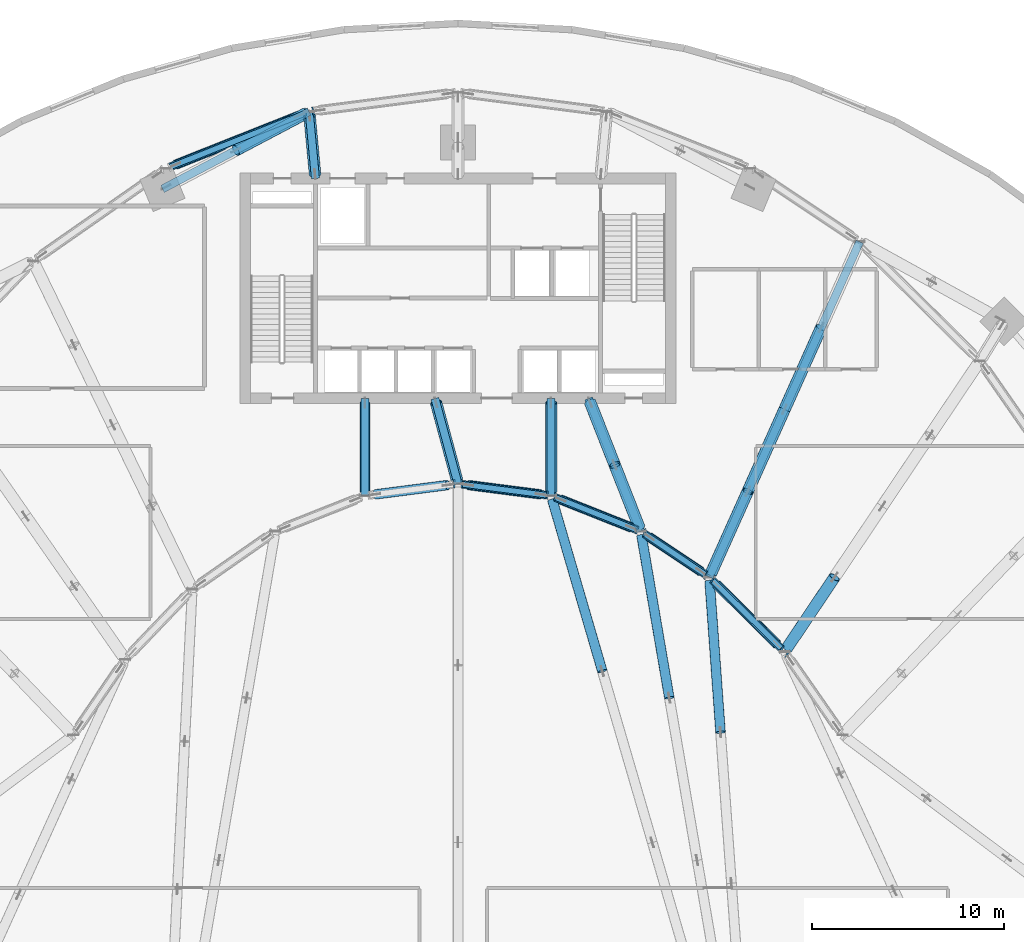
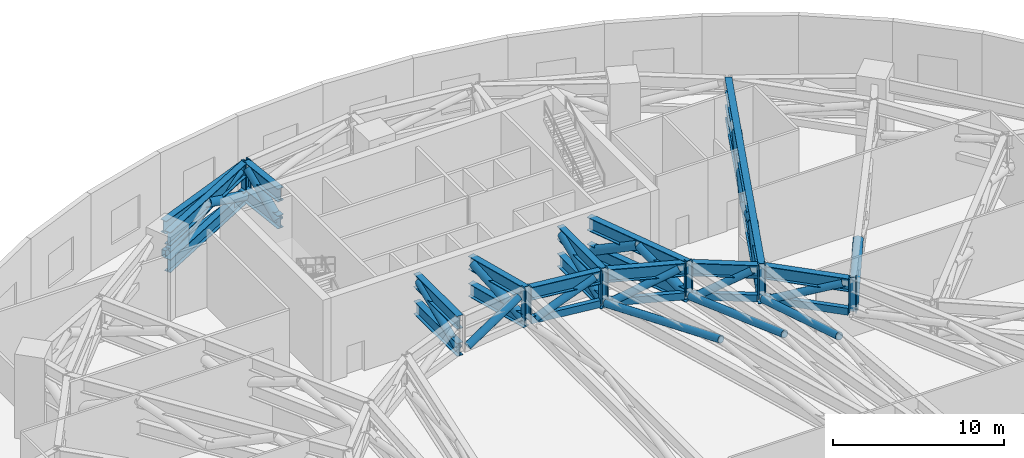
# One storey, part 4 of 19: 31 members, 19 beams.
"""IFC4 building model written with IfcOpenShell, lengths in metres."""

from ifc_helpers import new_model, si_unit, direction, frame, origin, origin_2d, place, context, subcontext, project, spatial, hollow_rectangle, hollow_circle, i_section, extrude, source, transform, mapped, material, material_profile, profile_set, type_object, type_shapes, element, save


model = new_model("IFC4")

# Units and contexts
model_context = context("Model", 3, precision=1e-05, world=origin(), true_north=direction((0.0, 1.0)))
body_context = subcontext(model_context, "Body", "Model", "MODEL_VIEW")
ifc_project = project(units=[si_unit("LENGTHUNIT", "METRE"), si_unit("AREAUNIT", "SQUARE_METRE"), si_unit("VOLUMEUNIT", "CUBIC_METRE"), si_unit("PLANEANGLEUNIT", "RADIAN"), si_unit("MASSUNIT", "GRAM", prefix="KILO")], contexts=[model_context])

# Site, building, storey
site_placement = place(None, origin())
site = spatial("IfcSite", under=ifc_project, at=site_placement, CompositionType="ELEMENT")
building_placement = place(site_placement, origin())
building = spatial("IfcBuilding", under=site, at=building_placement, Name="Breltana Convention Tower", CompositionType="ELEMENT")
storey_placement = place(building_placement, frame((0.0, 0.0, 24.0)))
storey = spatial("IfcBuildingStorey", under=building, at=storey_placement, Name="L04", CompositionType="ELEMENT", Elevation=24.0)

# Members
ifc_material_1 = material(Name="Steel ASTM A992 Grade 50", Category="steel")
ifc_material_profile_1 = material_profile(ifc_material_1, i_section(OverallWidth=0.4208984375, OverallDepth=0.465087890625, WebThickness=0.044921875, FlangeThickness=0.072265625, at=origin_2d()), Name="W14X398")
ifc_profile_set_1 = profile_set([ifc_material_profile_1], Name="Steel ASTM A992 Grade 50")
member_type_1 = type_object("IfcMemberType", Name="MB-TR-POST-W14X398", PredefinedType="POST", material=ifc_profile_set_1)
shared_shape_1 = source(origin(), body_context, "Body", "SweptSolid", [
    extrude(i_section(OverallWidth=0.4208984375, OverallDepth=0.465087890625, WebThickness=0.044921875, FlangeThickness=0.072265625, at=origin_2d()), origin(), (0.0, 0.0, 1.0), 2.406494140625),
])
type_shapes(member_type_1, [shared_shape_1])
for number, where, z_axis, x_axis, name in (
    (1, (40.253173828125, 75.404296875, 3.1435546875), (0.0, 0.0, 1.0), (-0.143492621991, 0.98965138682, 0.0), "L04 Transfer Truss Vertical R05-OUT"),
    (2, (48.0, 56.035888671875, 3.1435546875), (0.0, 0.0, 1.0), (0.0, 1.0, 0.0), "L04 Transfer Truss Vertical R06-IN"),
    (3, (52.846435546875, 55.41064453125, 3.1435546875), (0.0, 0.0, 1.0), (0.143492621991, 0.98965138682, 0.0), "L04 Transfer Truss Vertical R07-IN"),
    (4, (57.514892578125, 53.5576171875, 3.1435546875), (0.0, 0.0, 1.0), (0.288697611798, 0.957420330337, 0.0), "L04 Transfer Truss Vertical R08-IN"),
    (5, (61.08203125, 51.174560546875, 3.1435546875), (0.0, 0.0, 1.0), (0.409126902895, 0.912477494148, 0.0), "L04 Transfer Truss Vertical R09-IN"),
    (6, (64.995849609375, 47.293701171875, 3.1435546875), (0.0, 0.0, 1.0), (0.55774510898, 0.830012285095, 0.0), "L04 Transfer Truss Vertical R10-IN"),
):
    element("IfcMember", number, at=place(storey_placement, frame(where, z_axis=z_axis, x_axis=x_axis)), inside=storey, type_object=member_type_1, Name=name, PredefinedType="POST", context=body_context, shape_type="MappedRepresentation", body=[
        mapped(shared_shape_1, transform((0.0, 0.0, 0.0), scale=1.0)),
    ])
ifc_material_2 = material(Name="Steel EN 10210 S355J2H", Category="steel")
ifc_material_profile_2 = material_profile(ifc_material_2, hollow_circle(Radius=0.25390625, WallThickness=0.02001953125, at=origin_2d()), Name="CHS508X20")
ifc_profile_set_2 = profile_set([ifc_material_profile_2], Name="Steel EN 10210 S355J2H")
member_type_2 = type_object("IfcMemberType", Name="MB-BR-CHS508X20", PredefinedType="BRACE", material=ifc_profile_set_2)
shared_shape_2 = source(origin(), body_context, "Body", "SweptSolid", [
    extrude(hollow_circle(Radius=0.25390625, WallThickness=0.02001953125, at=origin_2d()), origin(), (0.0, 0.0, 1.0), 8.791015625),
])
member_1_placement = place(storey_placement, frame((59.000732421875, 44.887939453125, 5.075927734375), z_axis=(-0.164767429338, 0.96152750817, -0.219810248308), x_axis=(-0.985633495186, -0.168898233167, 0.0)))
element("IfcMember", 7, at=member_1_placement, inside=storey, type_object=member_type_2, Name="L04 Transfer Truss Diagonal R08-1.4", PredefinedType="BRACE", context=body_context, shape_type="MappedRepresentation", body=[
    mapped(shared_shape_2, transform((0.0, 0.0, 0.0), scale=1.0)),
])

# Beams
ifc_material_profile_3 = material_profile(ifc_material_1, i_section(OverallWidth=0.423095703125, OverallDepth=0.947998046875, WebThickness=0.02392578125, FlangeThickness=0.042724609375, at=origin_2d()), Name="W36X302")
ifc_profile_set_3 = profile_set([ifc_material_profile_3], Name="Steel ASTM A992 Grade 50")
beam_type_1 = type_object("IfcBeamType", Name="BM-TR-W36X302", PredefinedType="USERDEFINED", material=ifc_profile_set_3)
shared_shape_3 = source(origin(), body_context, "Body", "SweptSolid", [
    extrude(i_section(OverallWidth=0.423095703125, OverallDepth=0.947998046875, WebThickness=0.02392578125, FlangeThickness=0.042724609375, at=origin_2d()), origin(), (0.0, 0.0, 1.0), 5.064453125),
])
for number, where, z_axis, x_axis, name in (
    (8, (43.153564453125, 55.41064453125, 5.075927734375), (0.0, 1.0, 0.0), (-1.0, 0.0, 0.0), "L04 Transfer Top Chord R05-1"),
    (9, (52.846435546875, 55.41064453125, 5.075927734375), (0.0, 1.0, 0.0), (-1.0, 0.0, 0.0), "L04 Transfer Top Chord R07-2"),
):
    element("IfcBeam", number, at=place(storey_placement, frame(where, z_axis=z_axis, x_axis=x_axis)), inside=storey, type_object=beam_type_1, Name=name, ObjectType="GIRDER", PredefinedType="USERDEFINED", context=body_context, shape_type="MappedRepresentation", body=[
        mapped(shared_shape_3, transform((0.0, 0.0, 0.0), scale=1.0)),
    ])
ifc_material_profile_4 = material_profile(ifc_material_1, i_section(OverallWidth=0.41796875, OverallDepth=0.927001953125, WebThickness=0.019287109375, FlangeThickness=0.031982421875, at=origin_2d()), Name="W36X231")
ifc_profile_set_4 = profile_set([ifc_material_profile_4], Name="Steel ASTM A992 Grade 50")
beam_type_2 = type_object("IfcBeamType", Name="BM-TR-W36X231", PredefinedType="USERDEFINED", material=ifc_profile_set_4)
shared_shape_4 = source(origin(), body_context, "Body", "SweptSolid", [
    extrude(i_section(OverallWidth=0.41796875, OverallDepth=0.927001953125, WebThickness=0.019287109375, FlangeThickness=0.031982421875, at=origin_2d()), origin(), (0.0, 0.0, 1.0), 5.064453125),
])
for number, where, z_axis, x_axis, name in (
    (10, (43.153564453125, 55.41064453125, 3.1435546875), (0.0, 1.0, 0.0), (-1.0, 0.0, 0.0), "L04 Transfer Bottom Chord R05-1"),
    (11, (52.846435546875, 55.41064453125, 3.1435546875), (0.0, 1.0, 0.0), (-1.0, 0.0, 0.0), "L04 Transfer Bottom Chord R07-2"),
):
    element("IfcBeam", number, at=place(storey_placement, frame(where, z_axis=z_axis, x_axis=x_axis)), inside=storey, type_object=beam_type_2, Name=name, ObjectType="GIRDER", PredefinedType="USERDEFINED", context=body_context, shape_type="MappedRepresentation", body=[
        mapped(shared_shape_4, transform((0.0, 0.0, 0.0), scale=1.0)),
    ])

# Member
shared_shape_5 = source(origin(), body_context, "Body", "SweptSolid", [
    extrude(hollow_circle(Radius=0.25390625, WallThickness=0.02001953125, at=origin_2d()), origin(), (0.0, 0.0, 1.0), 5.01171875),
])
member_2_placement = place(storey_placement, frame((43.153564453125, 55.630615234375, 3.1435546875), z_axis=(0.0, 0.922680096322, 0.385566388384), x_axis=(-1.0, 0.0, 0.0)))
element("IfcMember", 12, at=member_2_placement, inside=storey, type_object=member_type_2, Name="L04 Transfer Truss Diagonal R05-1.1", PredefinedType="BRACE", context=body_context, shape_type="MappedRepresentation", body=[
    mapped(shared_shape_5, transform((0.0, 0.0, 0.0), scale=1.0)),
])

# Beams
shared_shape_6 = source(origin(), body_context, "Body", "SweptSolid", [
    extrude(i_section(OverallWidth=0.423095703125, OverallDepth=0.947998046875, WebThickness=0.02392578125, FlangeThickness=0.042724609375, at=origin_2d()), origin(), (0.0, 0.0, 1.0), 3.49462890625),
])
beam_1_placement = place(storey_placement, frame((40.580078125, 71.925048828125, 5.075927734375), z_axis=(-0.09354630491, 0.995614929999, 0.0), x_axis=(-0.995614929999, -0.09354630491, 0.0)))
element("IfcBeam", 13, at=beam_1_placement, inside=storey, type_object=beam_type_1, Name="L04 Transfer Top Chord R05-2", ObjectType="GIRDER", PredefinedType="USERDEFINED", context=body_context, shape_type="MappedRepresentation", body=[
    mapped(shared_shape_6, transform((0.0, 0.0, 0.0), scale=1.0)),
])
shared_shape_7 = source(origin(), body_context, "Body", "SweptSolid", [
    extrude(i_section(OverallWidth=0.41796875, OverallDepth=0.927001953125, WebThickness=0.019287109375, FlangeThickness=0.031982421875, at=origin_2d()), origin(), (0.0, 0.0, 1.0), 3.49462890625),
])
beam_2_placement = place(storey_placement, frame((40.580078125, 71.925048828125, 3.1435546875), z_axis=(-0.09354630491, 0.995614929999, 0.0), x_axis=(-0.995614929999, -0.09354630491, 0.0)))
element("IfcBeam", 14, at=beam_2_placement, inside=storey, type_object=beam_type_2, Name="L04 Transfer Bottom Chord R05-2", ObjectType="GIRDER", PredefinedType="USERDEFINED", context=body_context, shape_type="MappedRepresentation", body=[
    mapped(shared_shape_7, transform((0.0, 0.0, 0.0), scale=1.0)),
])

# Member
ifc_material_profile_5 = material_profile(ifc_material_2, hollow_circle(Radius=0.304931640625, WallThickness=0.02490234375, at=origin_2d()), Name="CHS610X25")
ifc_profile_set_5 = profile_set([ifc_material_profile_5], Name="Steel EN 10210 S355J2H")
member_type_3 = type_object("IfcMemberType", Name="MB-BR-CHS610X25", PredefinedType="BRACE", material=ifc_profile_set_5)
shared_shape_8 = source(origin(), body_context, "Body", "SweptSolid", [
    extrude(hollow_circle(Radius=0.304931640625, WallThickness=0.02490234375, at=origin_2d()), origin(), (0.0, 0.0, 1.0), 3.614501953125),
])
member_3_placement = place(storey_placement, frame((40.559326171875, 72.14404296875, 3.1435546875), z_axis=(-0.079026463467, 0.841395431976, 0.534610648157), x_axis=(-0.995618195575, -0.093511542813, 0.0)))
element("IfcMember", 15, at=member_3_placement, inside=storey, type_object=member_type_3, Name="L04 Transfer Truss Diagonal R05-2.1", PredefinedType="BRACE", context=body_context, shape_type="MappedRepresentation", body=[
    mapped(shared_shape_8, transform((0.0, 0.0, 0.0), scale=1.0)),
])

# Beams
shared_shape_9 = source(origin(), body_context, "Body", "SweptSolid", [
    extrude(i_section(OverallWidth=0.423095703125, OverallDepth=0.947998046875, WebThickness=0.02392578125, FlangeThickness=0.042724609375, at=origin_2d()), origin(), (0.0, 0.0, 1.0), 8.632568359375),
])
beam_3_placement = place(storey_placement, frame((40.253173828125, 75.404296875, 5.075927734375), z_axis=(-0.88465797279, -0.466240572214, 0.0), x_axis=(0.466240572214, -0.88465797279, 0.0)))
element("IfcBeam", 16, at=beam_3_placement, inside=storey, type_object=beam_type_1, Name="L04 Transfer Top Chord R05-3", ObjectType="GIRDER", PredefinedType="USERDEFINED", context=body_context, shape_type="MappedRepresentation", body=[
    mapped(shared_shape_9, transform((0.0, 0.0, 0.0), scale=1.0)),
])
shared_shape_10 = source(origin(), body_context, "Body", "SweptSolid", [
    extrude(i_section(OverallWidth=0.41796875, OverallDepth=0.927001953125, WebThickness=0.019287109375, FlangeThickness=0.031982421875, at=origin_2d()), origin(), (0.0, 0.0, 1.0), 8.632568359375),
])
beam_4_placement = place(storey_placement, frame((40.253173828125, 75.404296875, 3.1435546875), z_axis=(-0.88465797279, -0.466240572214, 0.0), x_axis=(0.466240572214, -0.88465797279, 0.0)))
element("IfcBeam", 17, at=beam_4_placement, inside=storey, type_object=beam_type_2, Name="L04 Transfer Bottom Chord R05-3", ObjectType="GIRDER", PredefinedType="USERDEFINED", context=body_context, shape_type="MappedRepresentation", body=[
    mapped(shared_shape_10, transform((0.0, 0.0, 0.0), scale=1.0)),
])

# Member
shared_shape_11 = source(origin(), body_context, "Body", "SweptSolid", [
    extrude(hollow_circle(Radius=0.304931640625, WallThickness=0.02490234375, at=origin_2d()), origin(), (0.0, 0.0, 1.0), 4.529296875),
])
member_4_placement = place(storey_placement, frame((40.05859375, 75.3017578125, 3.1435546875), z_axis=(-0.800093481035, -0.421689099382, 0.426648245125), x_axis=(0.466254834965, -0.884650455757, 0.0)))
element("IfcMember", 18, at=member_4_placement, inside=storey, type_object=member_type_3, Name="L04 Transfer Truss Diagonal R05-3.1", PredefinedType="BRACE", context=body_context, shape_type="MappedRepresentation", body=[
    mapped(shared_shape_11, transform((0.0, 0.0, 0.0), scale=1.0)),
])

# Beams
shared_shape_12 = source(origin(), body_context, "Body", "SweptSolid", [
    extrude(i_section(OverallWidth=0.423095703125, OverallDepth=0.947998046875, WebThickness=0.02392578125, FlangeThickness=0.042724609375, at=origin_2d()), origin(), (0.0, 0.0, 1.0), 4.5986328125),
])
beam_5_placement = place(storey_placement, frame((48.0, 56.035888671875, 5.075927734375), z_axis=(-0.260942455354, 0.965354357215, 0.0), x_axis=(-0.965354357215, -0.260942455354, 0.0)))
element("IfcBeam", 19, at=beam_5_placement, inside=storey, type_object=beam_type_1, Name="L04 Transfer Top Chord R06-2", ObjectType="GIRDER", PredefinedType="USERDEFINED", context=body_context, shape_type="MappedRepresentation", body=[
    mapped(shared_shape_12, transform((0.0, 0.0, 0.0), scale=1.0)),
])
shared_shape_13 = source(origin(), body_context, "Body", "SweptSolid", [
    extrude(i_section(OverallWidth=0.41796875, OverallDepth=0.927001953125, WebThickness=0.019287109375, FlangeThickness=0.031982421875, at=origin_2d()), origin(), (0.0, 0.0, 1.0), 4.5986328125),
])
beam_6_placement = place(storey_placement, frame((48.0, 56.035888671875, 3.1435546875), z_axis=(-0.260942455354, 0.965354357215, 0.0), x_axis=(-0.965354357215, -0.260942455354, 0.0)))
element("IfcBeam", 20, at=beam_6_placement, inside=storey, type_object=beam_type_2, Name="L04 Transfer Bottom Chord R06-2", ObjectType="GIRDER", PredefinedType="USERDEFINED", context=body_context, shape_type="MappedRepresentation", body=[
    mapped(shared_shape_13, transform((0.0, 0.0, 0.0), scale=1.0)),
])

# Members
shared_shape_14 = source(origin(), body_context, "Body", "SweptSolid", [
    extrude(hollow_circle(Radius=0.304931640625, WallThickness=0.02490234375, at=origin_2d()), origin(), (0.0, 0.0, 1.0), 4.58544921875),
])
member_5_placement = place(storey_placement, frame((47.942626953125, 56.248291015625, 3.1435546875), z_axis=(-0.236658074569, 0.875448530965, 0.421405772827), x_axis=(-0.965349403831, -0.260960779665, 0.0)))
element("IfcMember", 21, at=member_5_placement, inside=storey, type_object=member_type_3, Name="L04 Transfer Truss Diagonal R06-2.1", PredefinedType="BRACE", context=body_context, shape_type="MappedRepresentation", body=[
    mapped(shared_shape_14, transform((0.0, 0.0, 0.0), scale=1.0)),
])
shared_shape_15 = source(origin(), body_context, "Body", "SweptSolid", [
    extrude(hollow_circle(Radius=0.25390625, WallThickness=0.02001953125, at=origin_2d()), origin(), (0.0, 0.0, 1.0), 9.489990234375),
])
member_6_placement = place(storey_placement, frame((55.51171875, 46.280517578125, 5.075927734375), z_axis=(-0.274343295038, 0.939826449207, -0.203622203697), x_axis=(-0.959937584954, -0.28021390578, 0.0)))
element("IfcMember", 22, at=member_6_placement, inside=storey, type_object=member_type_2, Name="L04 Transfer Truss Diagonal R07-1.4", PredefinedType="BRACE", context=body_context, shape_type="MappedRepresentation", body=[
    mapped(shared_shape_15, transform((0.0, 0.0, 0.0), scale=1.0)),
])
shared_shape_16 = source(origin(), body_context, "Body", "SweptSolid", [
    extrude(hollow_circle(Radius=0.304931640625, WallThickness=0.02490234375, at=origin_2d()), origin(), (0.0, 0.0, 1.0), 5.01171875),
])
member_7_placement = place(storey_placement, frame((52.846435546875, 55.630615234375, 3.1435546875), z_axis=(0.0, 0.922680096322, 0.385566388384), x_axis=(-1.0, 0.0, 0.0)))
element("IfcMember", 23, at=member_7_placement, inside=storey, type_object=member_type_3, Name="L04 Transfer Truss Diagonal R07-2.1", PredefinedType="BRACE", context=body_context, shape_type="MappedRepresentation", body=[
    mapped(shared_shape_16, transform((0.0, 0.0, 0.0), scale=1.0)),
])

# Beams
shared_shape_17 = source(origin(), body_context, "Body", "SweptSolid", [
    extrude(i_section(OverallWidth=0.423095703125, OverallDepth=0.947998046875, WebThickness=0.02392578125, FlangeThickness=0.042724609375, at=origin_2d()), origin(), (0.0, 0.0, 1.0), 7.43115234375),
])
beam_7_placement = place(storey_placement, frame((57.514892578125, 53.5576171875, 5.075927734375), z_axis=(-0.36533317992, 0.930876827324, 0.0), x_axis=(-0.930876827324, -0.36533317992, 0.0)))
element("IfcBeam", 24, at=beam_7_placement, inside=storey, type_object=beam_type_1, Name="L04 Transfer Top Chord R08-2", ObjectType="GIRDER", PredefinedType="USERDEFINED", context=body_context, shape_type="MappedRepresentation", body=[
    mapped(shared_shape_17, transform((0.0, 0.0, 0.0), scale=1.0)),
])
shared_shape_18 = source(origin(), body_context, "Body", "SweptSolid", [
    extrude(i_section(OverallWidth=0.41796875, OverallDepth=0.927001953125, WebThickness=0.019287109375, FlangeThickness=0.031982421875, at=origin_2d()), origin(), (0.0, 0.0, 1.0), 7.43115234375),
])
beam_8_placement = place(storey_placement, frame((57.514892578125, 53.5576171875, 3.1435546875), z_axis=(-0.36533317992, 0.930876827324, 0.0), x_axis=(-0.930876827324, -0.36533317992, 0.0)))
element("IfcBeam", 25, at=beam_8_placement, inside=storey, type_object=beam_type_2, Name="L04 Transfer Bottom Chord R08-2", ObjectType="GIRDER", PredefinedType="USERDEFINED", context=body_context, shape_type="MappedRepresentation", body=[
    mapped(shared_shape_18, transform((0.0, 0.0, 0.0), scale=1.0)),
])

# Members
shared_shape_19 = source(origin(), body_context, "Body", "SweptSolid", [
    extrude(hollow_circle(Radius=0.304931640625, WallThickness=0.02490234375, at=origin_2d()), origin(), (0.0, 0.0, 1.0), 3.994140625),
])
for number, where, z_axis, x_axis, name in (
    (26, (57.4345703125, 53.762451171875, 3.1435546875), (-0.3197453251, 0.814675146805, 0.483805056045), (-0.930870293493, -0.365349827826, 0.0), "L04 Transfer Truss Diagonal R08-2.1"),
    (27, (56.157470703125, 57.016357421875, 5.075927734375), (-0.3197453251, 0.814675146805, -0.483805056045), (-0.930870293493, -0.365349827826, 0.0), "L04 Transfer Truss Diagonal R08-2.2"),
):
    element("IfcMember", number, at=place(storey_placement, frame(where, z_axis=z_axis, x_axis=x_axis)), inside=storey, type_object=member_type_3, Name=name, PredefinedType="BRACE", context=body_context, shape_type="MappedRepresentation", body=[
        mapped(shared_shape_19, transform((0.0, 0.0, 0.0), scale=1.0)),
    ])
shared_shape_20 = source(origin(), body_context, "Body", "SweptSolid", [
    extrude(hollow_circle(Radius=0.25390625, WallThickness=0.02001953125, at=origin_2d()), origin(), (0.0, 0.0, 1.0), 8.10986328125),
])
member_8_placement = place(storey_placement, frame((61.665283203125, 43.099365234375, 5.075927734375), z_axis=(-0.069962956239, 0.968673856665, -0.238277452078), x_axis=(-0.997401898765, -0.072037853521, 0.0)))
element("IfcMember", 28, at=member_8_placement, inside=storey, type_object=member_type_2, Name="L04 Transfer Truss Diagonal R09-1.4", PredefinedType="BRACE", context=body_context, shape_type="MappedRepresentation", body=[
    mapped(shared_shape_20, transform((0.0, 0.0, 0.0), scale=1.0)),
])

# Beams
shared_shape_21 = source(origin(), body_context, "Body", "SweptSolid", [
    extrude(i_section(OverallWidth=0.423095703125, OverallDepth=0.947998046875, WebThickness=0.02392578125, FlangeThickness=0.042724609375, at=origin_2d()), origin(), (0.0, 0.0, 1.0), 19.133544921875),
])
beam_9_placement = place(storey_placement, frame((61.08203125, 51.174560546875, 5.075927734375), z_axis=(0.409144564164, 0.912469575172, 0.0), x_axis=(-0.912469575172, 0.409144564164, 0.0)))
element("IfcBeam", 29, at=beam_9_placement, inside=storey, type_object=beam_type_1, Name="L04 Transfer Top Chord R09-2", ObjectType="GIRDER", PredefinedType="USERDEFINED", context=body_context, shape_type="MappedRepresentation", body=[
    mapped(shared_shape_21, transform((0.0, 0.0, 0.0), scale=1.0)),
])
shared_shape_22 = source(origin(), body_context, "Body", "SweptSolid", [
    extrude(i_section(OverallWidth=0.41796875, OverallDepth=0.927001953125, WebThickness=0.019287109375, FlangeThickness=0.031982421875, at=origin_2d()), origin(), (0.0, 0.0, 1.0), 19.133544921875),
])
beam_10_placement = place(storey_placement, frame((61.08203125, 51.174560546875, 3.1435546875), z_axis=(0.409144564164, 0.912469575172, 0.0), x_axis=(-0.912469575172, 0.409144564164, 0.0)))
element("IfcBeam", 30, at=beam_10_placement, inside=storey, type_object=beam_type_2, Name="L04 Transfer Bottom Chord R09-2", ObjectType="GIRDER", PredefinedType="USERDEFINED", context=body_context, shape_type="MappedRepresentation", body=[
    mapped(shared_shape_22, transform((0.0, 0.0, 0.0), scale=1.0)),
])

# Members
shared_shape_23 = source(origin(), body_context, "Body", "SweptSolid", [
    extrude(hollow_circle(Radius=0.304931640625, WallThickness=0.02490234375, at=origin_2d()), origin(), (0.0, 0.0, 1.0), 5.05712890625),
])
for number, where, z_axis, x_axis, name in (
    (31, (61.172119140625, 51.375244140625, 3.1435546875), (0.378054336693, 0.843248001406, 0.382109574118), (-0.912490496162, 0.409097903214, 0.0), "L04 Transfer Truss Diagonal R09-2.1"),
    (32, (63.083984375, 55.6396484375, 5.075927734375), (0.378152478574, 0.843203267046, -0.382111179358), (-0.912442743845, 0.409204397832, 0.0), "L04 Transfer Truss Diagonal R09-2.2"),
    (33, (64.996337890625, 59.90380859375, 3.1435546875), (0.378095712254, 0.843232610564, 0.382102599909), (-0.912470994149, 0.409141399563, 0.0), "L04 Transfer Truss Diagonal R09-2.3"),
):
    element("IfcMember", number, at=place(storey_placement, frame(where, z_axis=z_axis, x_axis=x_axis)), inside=storey, type_object=member_type_3, Name=name, PredefinedType="BRACE", context=body_context, shape_type="MappedRepresentation", body=[
        mapped(shared_shape_23, transform((0.0, 0.0, 0.0), scale=1.0)),
    ])
shared_shape_24 = source(origin(), body_context, "Body", "SweptSolid", [
    extrude(hollow_circle(Radius=0.304931640625, WallThickness=0.02490234375, at=origin_2d()), origin(), (0.0, 0.0, 1.0), 4.8505859375),
])
member_9_placement = place(storey_placement, frame((65.11865234375, 47.476318359375, 3.1435546875), z_axis=(0.511568257211, 0.761312618908, 0.398372959054), x_axis=(-0.830018640357, 0.557735651236, 0.0)))
element("IfcMember", 34, at=member_9_placement, inside=storey, type_object=member_type_3, Name="L04 Transfer Truss Diagonal R10-2.1", PredefinedType="BRACE", context=body_context, shape_type="MappedRepresentation", body=[
    mapped(shared_shape_24, transform((0.0, 0.0, 0.0), scale=1.0)),
])

# Beam
shared_shape_25 = source(origin(), body_context, "Body", "SweptSolid", [
    extrude(i_section(OverallWidth=0.41796875, OverallDepth=0.927001953125, WebThickness=0.019287109375, FlangeThickness=0.031982421875, at=origin_2d()), origin(), (0.0, 0.0, 1.0), 4.582763671875),
])
beam_11_placement = place(storey_placement, frame((53.051025390625, 55.32958984375, 5.075927734375), z_axis=(0.929461717528, -0.368918575909, 0.0), x_axis=(0.368918575909, 0.929461717528, 0.0)))
element("IfcBeam", 35, at=beam_11_placement, inside=storey, type_object=beam_type_2, Name="L04 Transfer Ring Top Chord IN-07", ObjectType="GIRDER", PredefinedType="USERDEFINED", context=body_context, shape_type="MappedRepresentation", body=[
    mapped(shared_shape_25, transform((0.0, 0.0, 0.0), scale=1.0)),
])

# Members
ifc_material_profile_6 = material_profile(ifc_material_2, hollow_rectangle(XDim=0.300048828125, YDim=0.5, WallThickness=0.01611328125, at=origin_2d()), Name="RHS500X300X16")
ifc_profile_set_6 = profile_set([ifc_material_profile_6], Name="Steel EN 10210 S355J2H")
member_type_4 = type_object("IfcMemberType", Name="MB-CH-RHS500X300X16", PredefinedType="CHORD", material=ifc_profile_set_6)
shared_shape_26 = source(origin(), body_context, "Body", "SweptSolid", [
    extrude(hollow_rectangle(XDim=0.300048828125, YDim=0.5, WallThickness=0.01611328125, at=origin_2d()), origin(), (0.0, 0.0, 1.0), 4.52294921875),
])
member_10_placement = place(storey_placement, frame((53.078857421875, 55.318603515625, 3.1435546875), z_axis=(0.92945251953, -0.368941748707, 0.0), x_axis=(0.368941748707, 0.92945251953, 0.0)))
element("IfcMember", 36, at=member_10_placement, inside=storey, type_object=member_type_4, Name="L04 Transfer Ring Bottom Chord IN-07", PredefinedType="CHORD", context=body_context, shape_type="MappedRepresentation", body=[
    mapped(shared_shape_26, transform((0.0, 0.0, 0.0), scale=1.0)),
])
shared_shape_27 = source(origin(), body_context, "Body", "SweptSolid", [
    extrude(hollow_circle(Radius=0.25390625, WallThickness=0.02001953125, at=origin_2d()), origin(), (0.0, 0.0, 1.0), 4.373046875),
])
member_11_placement = place(storey_placement, frame((53.357666015625, 55.207763671875, 3.1435546875), z_axis=(0.833794815549, -0.330949827022, 0.441880546707), x_axis=(0.368921475637, 0.929460566573, 0.0)))
element("IfcMember", 37, at=member_11_placement, inside=storey, type_object=member_type_2, Name="L04 Transfer Belt Brace IN-07", PredefinedType="BRACE", context=body_context, shape_type="MappedRepresentation", body=[
    mapped(shared_shape_27, transform((0.0, 0.0, 0.0), scale=1.0)),
])

# Beam
shared_shape_28 = source(origin(), body_context, "Body", "SweptSolid", [
    extrude(i_section(OverallWidth=0.41796875, OverallDepth=0.927001953125, WebThickness=0.019287109375, FlangeThickness=0.031982421875, at=origin_2d()), origin(), (0.0, 0.0, 1.0), 7.58837890625),
])
beam_12_placement = place(storey_placement, frame((32.99560546875, 72.523681640625, 5.075927734375), z_axis=(0.929456390757, 0.368931996013, 0.0), x_axis=(-0.368931996013, 0.929456390757, 0.0)))
element("IfcBeam", 38, at=beam_12_placement, inside=storey, type_object=beam_type_2, Name="L04 Transfer Ring Top Chord OUT-04", ObjectType="GIRDER", PredefinedType="USERDEFINED", context=body_context, shape_type="MappedRepresentation", body=[
    mapped(shared_shape_28, transform((0.0, 0.0, 0.0), scale=1.0)),
])

# Members
shared_shape_29 = source(origin(), body_context, "Body", "SweptSolid", [
    extrude(hollow_rectangle(XDim=0.300048828125, YDim=0.5, WallThickness=0.01611328125, at=origin_2d()), origin(), (0.0, 0.0, 1.0), 7.5283203125),
])
member_12_placement = place(storey_placement, frame((33.0234375, 72.53466796875, 3.1435546875), z_axis=(0.929450822303, 0.3689460244, 0.0), x_axis=(-0.3689460244, 0.929450822303, 0.0)))
element("IfcMember", 39, at=member_12_placement, inside=storey, type_object=member_type_4, Name="L04 Transfer Ring Bottom Chord OUT-04", PredefinedType="CHORD", context=body_context, shape_type="MappedRepresentation", body=[
    mapped(shared_shape_29, transform((0.0, 0.0, 0.0), scale=1.0)),
])
shared_shape_30 = source(origin(), body_context, "Body", "SweptSolid", [
    extrude(hollow_circle(Radius=0.25390625, WallThickness=0.02001953125, at=origin_2d()), origin(), (0.0, 0.0, 1.0), 7.19287109375),
])
member_13_placement = place(storey_placement, frame((33.30224609375, 72.6455078125, 3.1435546875), z_axis=(0.895297164713, 0.355342382279, 0.268653639864), x_axis=(-0.36890447422, 0.929467314595, 0.0)))
element("IfcMember", 40, at=member_13_placement, inside=storey, type_object=member_type_2, Name="L04 Transfer Belt Brace OUT-04", PredefinedType="BRACE", context=body_context, shape_type="MappedRepresentation", body=[
    mapped(shared_shape_30, transform((0.0, 0.0, 0.0), scale=1.0)),
])

# Beam
shared_shape_31 = source(origin(), body_context, "Body", "SweptSolid", [
    extrude(i_section(OverallWidth=0.41796875, OverallDepth=0.927001953125, WebThickness=0.019287109375, FlangeThickness=0.031982421875, at=origin_2d()), origin(), (0.0, 0.0, 1.0), 4.44677734375),
])
beam_13_placement = place(storey_placement, frame((48.21826171875, 56.0078125, 5.075927734375), z_axis=(0.991783710025, -0.1279260432, 0.0), x_axis=(0.1279260432, 0.991783710025, 0.0)))
element("IfcBeam", 41, at=beam_13_placement, inside=storey, type_object=beam_type_2, Name="L04 Transfer Ring Top Chord IN-06", ObjectType="GIRDER", PredefinedType="USERDEFINED", context=body_context, shape_type="MappedRepresentation", body=[
    mapped(shared_shape_31, transform((0.0, 0.0, 0.0), scale=1.0)),
])

# Members
shared_shape_32 = source(origin(), body_context, "Body", "SweptSolid", [
    extrude(hollow_rectangle(XDim=0.300048828125, YDim=0.5, WallThickness=0.01611328125, at=origin_2d()), origin(), (0.0, 0.0, 1.0), 4.386962890625),
])
member_14_placement = place(storey_placement, frame((48.247802734375, 56.00390625, 3.1435546875), z_axis=(0.991781284032, -0.127944850008, 0.0), x_axis=(0.127944850008, 0.991781284032, 0.0)))
element("IfcMember", 42, at=member_14_placement, inside=storey, type_object=member_type_4, Name="L04 Transfer Ring Bottom Chord IN-06", PredefinedType="CHORD", context=body_context, shape_type="MappedRepresentation", body=[
    mapped(shared_shape_32, transform((0.0, 0.0, 0.0), scale=1.0)),
])
shared_shape_33 = source(origin(), body_context, "Body", "SweptSolid", [
    extrude(hollow_circle(Radius=0.25390625, WallThickness=0.02001953125, at=origin_2d()), origin(), (0.0, 0.0, 1.0), 4.251220703125),
])
for number, where, z_axis, x_axis, name in (
    (43, (43.698974609375, 55.481201171875, 3.1435546875), (0.883409360328, 0.113936434434, 0.454539757329), (-0.12791405758, 0.991785255927, 0.0), "L04 Transfer Belt Brace IN-05"),
    (44, (48.54541015625, 55.965576171875, 3.1435546875), (0.883409360328, -0.113936434434, 0.454539757329), (0.12791405758, 0.991785255927, 0.0), "L04 Transfer Belt Brace IN-06"),
):
    element("IfcMember", number, at=place(storey_placement, frame(where, z_axis=z_axis, x_axis=x_axis)), inside=storey, type_object=member_type_2, Name=name, PredefinedType="BRACE", context=body_context, shape_type="MappedRepresentation", body=[
        mapped(shared_shape_33, transform((0.0, 0.0, 0.0), scale=1.0)),
    ])

# Beam
shared_shape_34 = source(origin(), body_context, "Body", "SweptSolid", [
    extrude(i_section(OverallWidth=0.41796875, OverallDepth=0.927001953125, WebThickness=0.019287109375, FlangeThickness=0.031982421875, at=origin_2d()), origin(), (0.0, 0.0, 1.0), 3.849853515625),
])
beam_14_placement = place(storey_placement, frame((57.697998046875, 53.435302734375, 5.075927734375), z_axis=(0.831503542147, -0.555519450062, 0.0), x_axis=(0.555519450062, 0.831503542147, 0.0)))
element("IfcBeam", 45, at=beam_14_placement, inside=storey, type_object=beam_type_2, Name="L04 Transfer Ring Top Chord IN-08", ObjectType="GIRDER", PredefinedType="USERDEFINED", context=body_context, shape_type="MappedRepresentation", body=[
    mapped(shared_shape_34, transform((0.0, 0.0, 0.0), scale=1.0)),
])

# Members
shared_shape_35 = source(origin(), body_context, "Body", "SweptSolid", [
    extrude(hollow_rectangle(XDim=0.300048828125, YDim=0.5, WallThickness=0.01611328125, at=origin_2d()), origin(), (0.0, 0.0, 1.0), 3.78955078125),
])
member_15_placement = place(storey_placement, frame((57.722900390625, 53.418701171875, 3.1435546875), z_axis=(0.831504776764, -0.555517602079, 0.0), x_axis=(0.555517602079, 0.831504776764, 0.0)))
element("IfcMember", 46, at=member_15_placement, inside=storey, type_object=member_type_4, Name="L04 Transfer Ring Bottom Chord IN-08", PredefinedType="CHORD", context=body_context, shape_type="MappedRepresentation", body=[
    mapped(shared_shape_35, transform((0.0, 0.0, 0.0), scale=1.0)),
])
shared_shape_36 = source(origin(), body_context, "Body", "SweptSolid", [
    extrude(hollow_circle(Radius=0.25390625, WallThickness=0.02001953125, at=origin_2d()), origin(), (0.0, 0.0, 1.0), 3.7294921875),
])
member_16_placement = place(storey_placement, frame((57.972412109375, 53.252197265625, 3.1435546875), z_axis=(0.711164745966, -0.475179021628, 0.518121222784), x_axis=(0.555565326919, 0.831472890433, 0.0)))
element("IfcMember", 47, at=member_16_placement, inside=storey, type_object=member_type_2, Name="L04 Transfer Belt Brace IN-08", PredefinedType="BRACE", context=body_context, shape_type="MappedRepresentation", body=[
    mapped(shared_shape_36, transform((0.0, 0.0, 0.0), scale=1.0)),
])

# Beam
shared_shape_37 = source(origin(), body_context, "Body", "SweptSolid", [
    extrude(i_section(OverallWidth=0.41796875, OverallDepth=0.927001953125, WebThickness=0.019287109375, FlangeThickness=0.031982421875, at=origin_2d()), origin(), (0.0, 0.0, 1.0), 5.07177734375),
])
beam_15_placement = place(storey_placement, frame((61.23828125, 51.01953125, 5.075927734375), z_axis=(0.710085044439, -0.704115920616, 0.0), x_axis=(0.704115920616, 0.710085044439, 0.0)))
element("IfcBeam", 48, at=beam_15_placement, inside=storey, type_object=beam_type_2, Name="L04 Transfer Ring Top Chord IN-09", ObjectType="GIRDER", PredefinedType="USERDEFINED", context=body_context, shape_type="MappedRepresentation", body=[
    mapped(shared_shape_37, transform((0.0, 0.0, 0.0), scale=1.0)),
])

# Members
shared_shape_38 = source(origin(), body_context, "Body", "SweptSolid", [
    extrude(hollow_rectangle(XDim=0.300048828125, YDim=0.5, WallThickness=0.01611328125, at=origin_2d()), origin(), (0.0, 0.0, 1.0), 5.01171875),
])
member_17_placement = place(storey_placement, frame((61.259521484375, 50.99853515625, 3.1435546875), z_axis=(0.710096313333, -0.704104556007, 0.0), x_axis=(0.704104556007, 0.710096313333, 0.0)))
element("IfcMember", 49, at=member_17_placement, inside=storey, type_object=member_type_4, Name="L04 Transfer Ring Bottom Chord IN-09", PredefinedType="CHORD", context=body_context, shape_type="MappedRepresentation", body=[
    mapped(shared_shape_38, transform((0.0, 0.0, 0.0), scale=1.0)),
])
shared_shape_39 = source(origin(), body_context, "Body", "SweptSolid", [
    extrude(hollow_circle(Radius=0.25390625, WallThickness=0.02001953125, at=origin_2d()), origin(), (0.0, 0.0, 1.0), 4.816162109375),
])
member_18_placement = place(storey_placement, frame((61.47265625, 50.787109375, 3.1435546875), z_axis=(0.650426687253, -0.644951971158, 0.40122572127), x_axis=(0.704112016143, 0.710088916068, 0.0)))
element("IfcMember", 50, at=member_18_placement, inside=storey, type_object=member_type_2, Name="L04 Transfer Belt Brace IN-09", PredefinedType="BRACE", context=body_context, shape_type="MappedRepresentation", body=[
    mapped(shared_shape_39, transform((0.0, 0.0, 0.0), scale=1.0)),
])

save(model, "model.ifc")
